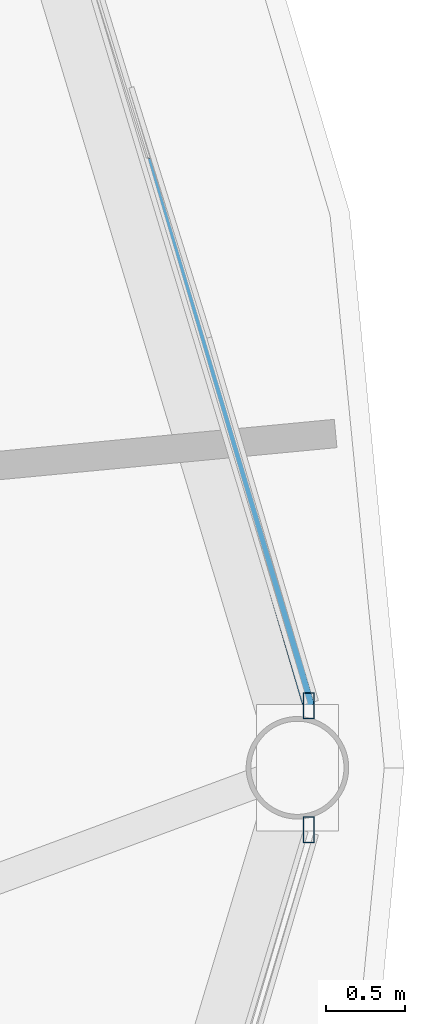
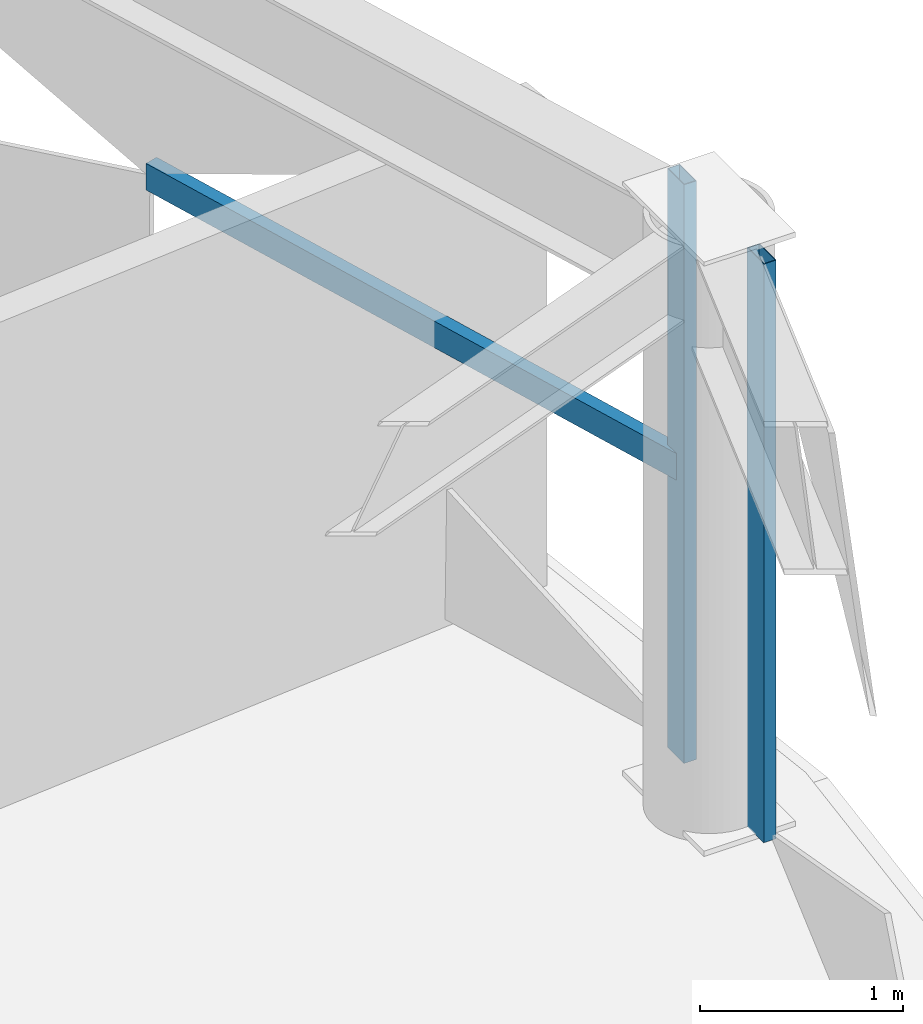
# One storey, part 13 of 28: 3 members, 2 elements without a shape of their own.
"""IFC4 building model written with IfcOpenShell, lengths in metres."""

from ifc_helpers import new_model, si_unit, direction, frame, origin, origin_2d, place, context, subcontext, project, spatial, hollow_rectangle, extrude, material, layer, layer_set, material_profile, profile_set, type_object, element, aggregate, save


model = new_model("IFC4")

# Units and contexts
model_context = context("Model", 3, precision=1e-05, world=origin(), true_north=direction((0.0, 1.0)))
body_context = subcontext(model_context, "Body", "Model", "MODEL_VIEW")
ifc_project = project(units=[si_unit("LENGTHUNIT", "METRE"), si_unit("AREAUNIT", "SQUARE_METRE"), si_unit("VOLUMEUNIT", "CUBIC_METRE"), si_unit("PLANEANGLEUNIT", "RADIAN"), si_unit("MASSUNIT", "GRAM", prefix="KILO")], contexts=[model_context])

# Site, building, storey
site_placement = place(None, origin())
site = spatial("IfcSite", under=ifc_project, at=site_placement, CompositionType="ELEMENT")
building_placement = place(site_placement, origin())
building = spatial("IfcBuilding", under=site, at=building_placement, Name="Vantalir Tower", CompositionType="ELEMENT")
storey_placement = place(building_placement, frame((0.0, 0.0, 223.64990234375)))
storey = spatial("IfcBuildingStorey", under=building, at=storey_placement, Name="L56", CompositionType="ELEMENT", Elevation=223.64990234375)

# Curtain wall, member
ifc_material_1 = material(Name="Champagne-silver PVDF aluminium and double-silver Low-E glass", Category="aluminium")
ifc_layer = layer(ifc_material_1, 0.2099609375)
ifc_layer_set = layer_set([ifc_layer], Name="Champagne-silver PVDF aluminium and double-silver Low-E glass")
curtain_wall_type = type_object("IfcCurtainWallType", Name="CW-DIAMOND-Z3", PredefinedType="USERDEFINED", material=ifc_layer_set)
curtain_wall_1_placement = place(storey_placement, origin())
curtain_wall_1 = element("IfcCurtainWall", 1, at=curtain_wall_1_placement, inside=storey, type_object=curtain_wall_type, Name="L56 Quilted Pyramid-Diamond Curtain Wall S01", ObjectType="UNITISED CURTAIN WALL", PredefinedType="USERDEFINED")
ifc_material_2 = material(Name="Champagne-silver PVDF aluminium 6063-T6", Category="aluminium")
ifc_material_profile_1 = material_profile(ifc_material_2, hollow_rectangle(XDim=0.070068359375, YDim=0.1650390625, WallThickness=0.00390625, at=origin_2d()), Name="Champagne-silver PVDF aluminium 6063-T6")
ifc_profile_set_1 = profile_set([ifc_material_profile_1], Name="Champagne-silver PVDF aluminium 6063-T6")
member_type_1 = type_object("IfcMemberType", Name="CWM-165x70", PredefinedType="MULLION", material=ifc_profile_set_1)
member_1_placement = place(storey_placement, frame((53.5849609375, 25.39306640625, 0.045166015625), z_axis=(0.0, 0.0, 1.0), x_axis=(1.0, 0.0, 0.0)))
member_1 = element("IfcMember", 2, at=member_1_placement, type_object=member_type_1, Name="CW-L56-S01 Mullion 1", PredefinedType="MULLION", context=body_context, shape_type="SweptSolid", body=[
    extrude(hollow_rectangle(XDim=0.070068359375, YDim=0.1650390625, WallThickness=0.00390625, at=origin_2d()), origin(), (0.0, 0.0, 1.0), 3.47998046875),
])

curtain_wall_2_placement = place(storey_placement, origin())
curtain_wall_2 = element("IfcCurtainWall", 3, at=curtain_wall_2_placement, inside=storey, type_object=curtain_wall_type, Name="L56 Quilted Pyramid-Diamond Curtain Wall S12", ObjectType="UNITISED CURTAIN WALL", PredefinedType="USERDEFINED")
member_2_placement = place(storey_placement, frame((53.5849609375, 24.60693359375, 0.045166015625), z_axis=(0.0, 0.0, 1.0), x_axis=(1.0, 0.0, 0.0)))
member_2 = element("IfcMember", 4, at=member_2_placement, type_object=member_type_1, Name="CW-L56-S12 Mullion 2", PredefinedType="MULLION", context=body_context, shape_type="SweptSolid", body=[
    extrude(hollow_rectangle(XDim=0.070068359375, YDim=0.1650390625, WallThickness=0.00390625, at=origin_2d()), origin(), (0.0, 0.0, 1.0), 3.47998046875),
])
aggregate(curtain_wall_2, [member_2])

# Member
ifc_material_profile_2 = material_profile(ifc_material_2, hollow_rectangle(XDim=0.074951171875, YDim=0.159912109375, WallThickness=0.00390625, at=origin_2d()), Name="Champagne-silver PVDF aluminium 6063-T6")
ifc_profile_set_2 = profile_set([ifc_material_profile_2], Name="Champagne-silver PVDF aluminium 6063-T6")
member_type_2 = type_object("IfcMemberType", Name="CWT-160x75", PredefinedType="USERDEFINED", material=ifc_profile_set_2)
member_3_placement = place(storey_placement, frame((53.5849609375, 25.39306640625, 1.78515625), z_axis=(-0.281598903919, 0.959532207543, 0.0), x_axis=(-0.959532207543, -0.281598903919, 0.0)))
member_3 = element("IfcMember", 5, at=member_3_placement, type_object=member_type_2, Name="CW-L56-S01 Pyramid Fold Ridge Transom", ObjectType="TRANSOM", PredefinedType="USERDEFINED", context=body_context, shape_type="SweptSolid", body=[
    extrude(hollow_rectangle(XDim=0.074951171875, YDim=0.159912109375, WallThickness=0.00390625, at=origin_2d()), origin(), (0.0, 0.0, 1.0), 3.611083984375),
])

aggregate(curtain_wall_1, [member_1, member_3])

save(model, "model.ifc")
